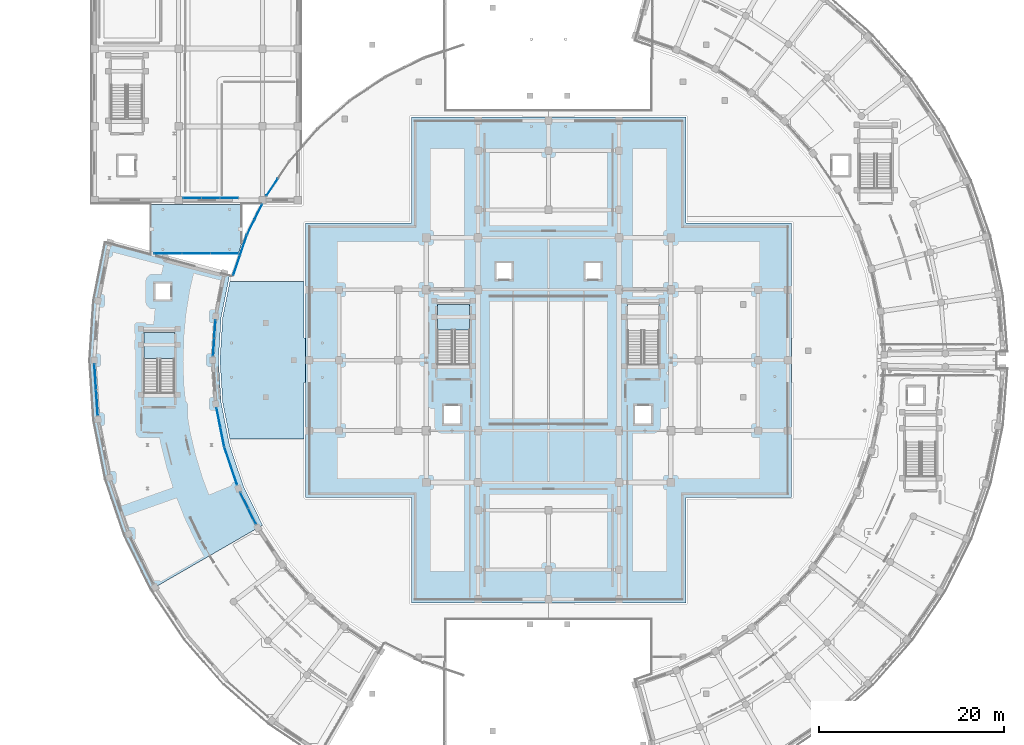
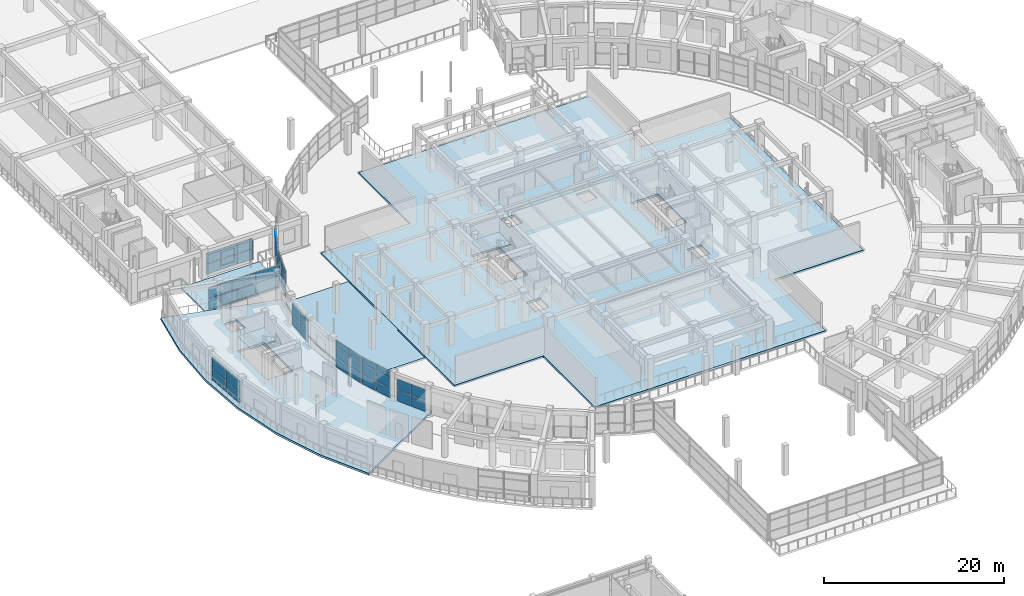
# One storey, part 49 of 87: 50 plates, 6 slabs, 12 elements without a shape of their own.
"""IFC4 building model written with IfcOpenShell, lengths in metres."""

import ifcopenshell
import ifcopenshell.guid

model = None  # the IFC model being written
_history = None  # IfcOwnerHistory: only IFC2X3 demands one
_inside = {}  # id of a spatial element -> (the spatial element, [elements in it])
_under = {}  # id of a project, library or spatial element -> (it, [spatial elements below it])
_declared = {}  # id of a project -> (the project, [libraries it declares])
_typed = {}  # id of a type object -> (the type object, [elements of that type])
_made_of = {}  # id of a material, layer set ... -> (it, [elements and type objects made of it])


def new_model(schema):
    """Start an empty IFC model of exactly this schema.

    Asked for "IFC4X3", IfcOpenShell would pick the latest addendum, in which some entities
    have other attributes; the version numbers below select the first issue.
    IFC2X3 requires an IfcOwnerHistory on every rooted entity: one is made here for all.
    """
    global model, _history
    if schema == "IFC4X3":
        model = ifcopenshell.file(schema_version=(4, 3, 0, 0))
    else:
        model = ifcopenshell.file(schema=schema)
    _inside.clear()
    _under.clear()
    _declared.clear()
    _typed.clear()
    _made_of.clear()
    _history = None
    if model.schema == "IFC2X3":
        org = make("IfcOrganization", Name="unknown")
        user = make(
            "IfcPersonAndOrganization",
            ThePerson=make("IfcPerson", FamilyName="unknown"),
            TheOrganization=org,
        )
        app = make(
            "IfcApplication",
            ApplicationDeveloper=org,
            Version="unknown",
            ApplicationFullName="unknown",
            ApplicationIdentifier="unknown",
        )
        _history = make(
            "IfcOwnerHistory",
            OwningUser=user,
            OwningApplication=app,
            ChangeAction="ADDED",
            CreationDate=0,
        )
    return model


def make(cls, **values):
    """One entity of the class cls with the attributes given. An attribute that is None is left unset."""
    return model.create_entity(
        cls, **{name: value for name, value in values.items() if value is not None}
    )


def rooted(cls, **values):
    """An entity with a GlobalId (a new one), such as an element, a storey or a relation."""
    return make(cls, GlobalId=ifcopenshell.guid.new(), OwnerHistory=_history, **values)


def si_unit(unit_type, name, prefix=None):
    """IfcSIUnit, for example si_unit("LENGTHUNIT", "METRE", prefix="MILLI")."""
    return make("IfcSIUnit", UnitType=unit_type, Prefix=prefix, Name=name)


def assignment(units):
    """IfcUnitAssignment: the units of a project."""
    return None if units is None else make("IfcUnitAssignment", Units=units)


def point(xyz):
    """IfcCartesianPoint."""
    return None if xyz is None else make("IfcCartesianPoint", Coordinates=xyz)


def direction(xyz):
    """IfcDirection."""
    return None if xyz is None else make("IfcDirection", DirectionRatios=xyz)


def frame(location, z_axis=None, x_axis=None):
    """IfcAxis2Placement3D, a coordinate frame: its origin and axes. An axis left out is left unset."""
    return make(
        "IfcAxis2Placement3D",
        Location=point(location),
        Axis=direction(z_axis),
        RefDirection=direction(x_axis),
    )


def frame_2d(location, x_axis=None):
    """IfcAxis2Placement2D, a coordinate frame in the plane: its origin and x axis."""
    return make(
        "IfcAxis2Placement2D", Location=point(location), RefDirection=direction(x_axis)
    )


def origin():
    """The frame at (0, 0, 0) with its axes left unset."""
    return frame((0.0, 0.0, 0.0))


def origin_2d():
    """The frame at (0, 0) in the plane with its x axis left unset."""
    return frame_2d((0.0, 0.0))


def place(relative_to, where):
    """IfcLocalPlacement: puts the frame where relative to a parent placement (None: the world)."""
    return make(
        "IfcLocalPlacement", PlacementRelTo=relative_to, RelativePlacement=where
    )


def context(
    kind, dimensions, precision=None, world=None, true_north=None, identifier=None
):
    """IfcGeometricRepresentationContext, for example the 3D "Model" context."""
    return make(
        "IfcGeometricRepresentationContext",
        ContextIdentifier=identifier,
        ContextType=kind,
        CoordinateSpaceDimension=dimensions,
        Precision=precision,
        WorldCoordinateSystem=world,
        TrueNorth=true_north,
    )


def subcontext(parent, identifier, kind, view, scale=None):
    """IfcGeometricRepresentationSubContext, for example "Body" below "Model"."""
    return make(
        "IfcGeometricRepresentationSubContext",
        ContextIdentifier=identifier,
        ContextType=kind,
        ParentContext=parent,
        TargetScale=scale,
        TargetView=view,
    )


def project(units=None, contexts=None):
    """IfcProject with its units and contexts."""
    return rooted(
        "IfcProject",
        Name="project",
        RepresentationContexts=contexts,
        UnitsInContext=assignment(units),
    )


def spatial(cls, under=None, at=None, **own):
    """A site, building, storey or space (cls), placed at a placement, below another one or the project."""
    s = rooted(cls, ObjectPlacement=at, **own)
    if under is not None:
        _under.setdefault(under.id(), (under, []))[1].append(s)
    return s


def polyline(points):
    """IfcPolyline through the points."""
    return make("IfcPolyline", Points=[point(p) for p in points])


def profile(cls, at=None, kind="AREA", **sizes):
    """A parametric profile (cls). Its sizes go by their IFC names, for example OverallWidth=200.0."""
    return make(cls, ProfileType=kind, Position=at, **sizes)


def rectangle(**sizes):
    """IfcRectangleProfileDef."""
    return profile("IfcRectangleProfileDef", **sizes)


def outline(outer, holes=None, kind="AREA"):
    """IfcArbitraryClosedProfileDef: a profile drawn as a closed curve; with holes, ...WithVoids."""
    if holes is None:
        return make("IfcArbitraryClosedProfileDef", ProfileType=kind, OuterCurve=outer)
    return make(
        "IfcArbitraryProfileDefWithVoids",
        ProfileType=kind,
        OuterCurve=outer,
        InnerCurves=holes,
    )


def extrude(swept, where, along, depth):
    """IfcExtrudedAreaSolid: the profile swept, set in the frame where, extruded along a direction by depth."""
    return make(
        "IfcExtrudedAreaSolid",
        SweptArea=swept,
        Position=where,
        ExtrudedDirection=direction(along),
        Depth=depth,
    )


def shape(context_of_items, identifier, shape_type, items):
    """IfcShapeRepresentation: the items that make up one representation, for example the "Body"."""
    return make(
        "IfcShapeRepresentation",
        ContextOfItems=context_of_items,
        RepresentationIdentifier=identifier,
        RepresentationType=shape_type,
        Items=items,
    )


def material(Name=None, Category=None):
    """IfcMaterial."""
    return make("IfcMaterial", Name=Name, Category=Category)


def layer(
    of_material, thickness, ventilated=None, Name=None, Category=None, Priority=None
):
    """IfcMaterialLayer: one layer of a wall or slab, of a material (None: an air gap)."""
    return make(
        "IfcMaterialLayer",
        Material=of_material,
        LayerThickness=thickness,
        IsVentilated=ventilated,
        Name=Name,
        Category=Category,
        Priority=Priority,
    )


def layer_set(layers, Name=None):
    """IfcMaterialLayerSet."""
    return make("IfcMaterialLayerSet", MaterialLayers=layers, LayerSetName=Name)


def made_of(thing, what):
    """Note that an element or type object is made of a material, layer set ...; save() writes the relation."""
    if what is not None:
        _made_of.setdefault(what.id(), (what, []))[1].append(thing)
    return thing


def type_object(cls, material=None, **own):
    """A type object (cls), such as IfcWallType, which elements share."""
    return made_of(rooted(cls, **own), material)


def element(
    cls,
    number,
    at=None,
    inside=None,
    cuts=None,
    type_object=None,
    material=None,
    context=None,
    identifier="Body",
    shape_type=None,
    held_by="IfcProductDefinitionShape",
    body=None,
    shapes=None,
    **own,
):
    """One element of the class cls, such as IfcWall. Its Tag is "e" and its number.

    at: its placement. inside: the storey or other place that contains it. cuts: it is an
    opening in that element (IfcRelVoidsElement). A single representation is given by context,
    identifier, shape_type and body (its items); several are given by shapes. held_by: the class
    of the entity that holds the representations. save() writes the other relations.
    """
    e = rooted(cls, Tag="e%d" % number, ObjectPlacement=at, **own)
    if body is not None:
        shapes = [shape(context, identifier, shape_type, body)]
    if shapes is not None:
        e.Representation = make(held_by, Representations=shapes)
    if inside is not None:
        _inside.setdefault(inside.id(), (inside, []))[1].append(e)
    if cuts is not None:
        rooted(
            "IfcRelVoidsElement", RelatingBuildingElement=cuts, RelatedOpeningElement=e
        )
    if type_object is not None:
        _typed.setdefault(type_object.id(), (type_object, []))[1].append(e)
    return made_of(e, material)


def aggregate(whole, parts):
    """IfcRelAggregates: a whole, such as a stair, and the parts it consists of."""
    return rooted("IfcRelAggregates", RelatingObject=whole, RelatedObjects=parts)


def save(model, path):
    """Write the relations noted so far, then the file.

    IfcRelAggregates (storeys below a building ...), IfcRelContainedInSpatialStructure (elements
    in a storey), IfcRelDefinesByType, IfcRelAssociatesMaterial and IfcRelDeclares: one each for
    every whole, place, type object, material and project.
    """
    for whole, parts in _under.values():
        aggregate(whole, parts)
    for where, things in _inside.values():
        rooted(
            "IfcRelContainedInSpatialStructure",
            RelatedElements=things,
            RelatingStructure=where,
        )
    for kind, things in _typed.values():
        rooted("IfcRelDefinesByType", RelatedObjects=things, RelatingType=kind)
    for what, things in _made_of.values():
        rooted("IfcRelAssociatesMaterial", RelatedObjects=things, RelatingMaterial=what)
    for by, libraries in _declared.values():
        rooted("IfcRelDeclares", RelatingContext=by, RelatedDefinitions=libraries)
    model.write(path)


model = new_model("IFC4")

# Units and contexts
model_context = context("Model", 3, precision=1e-05, world=origin(), true_north=direction((0.0, 1.0)))
body_context = subcontext(model_context, "Body", "Model", "MODEL_VIEW")
ifc_project = project(units=[si_unit("LENGTHUNIT", "METRE"), si_unit("AREAUNIT", "SQUARE_METRE"), si_unit("VOLUMEUNIT", "CUBIC_METRE"), si_unit("PLANEANGLEUNIT", "RADIAN"), si_unit("MASSUNIT", "GRAM", prefix="KILO")], contexts=[model_context])

# Site, building, storey
site_placement = place(None, origin())
site = spatial("IfcSite", under=ifc_project, at=site_placement, CompositionType="ELEMENT")
building_placement = place(site_placement, origin())
building = spatial("IfcBuilding", under=site, at=building_placement, Name="Saryqyr Civic Hall", CompositionType="ELEMENT")
storey_placement = place(building_placement, frame((0.0, 0.0, 5.10009765625)))
storey = spatial("IfcBuildingStorey", under=building, at=storey_placement, Name="L01", CompositionType="ELEMENT", Elevation=5.10009765625)

# Curtain wall, plates
ifc_material_1 = material(Name="Anodised aluminium and triple low-E glass", Category="aluminium")
curtain_wall_type_1 = type_object("IfcCurtainWallType", Name="ENV-CW-STD-13", PredefinedType="NOTDEFINED", material=ifc_material_1)
curtain_wall_1_placement = place(storey_placement, origin())
curtain_wall_1 = element("IfcCurtainWall", 1, at=curtain_wall_1_placement, inside=storey, type_object=curtain_wall_type_1, Name="Curtain wall V4-CWI-L01-01", PredefinedType="NOTDEFINED")
ifc_material_2 = material(Name="Triple low-E insulated glazing", Category="glass")
ifc_layer_1 = layer(ifc_material_2, 0.053955078125, Name="Triple low-E insulated glazing")
ifc_layer_set_1 = layer_set([ifc_layer_1], Name="Triple low-E insulated glazing")
plate_type = type_object("IfcPlateType", Name="ENV-CW-PNL-38", PredefinedType="CURTAIN_PANEL", material=ifc_layer_set_1)
plate_1_placement = place(storey_placement, frame((21.0185546875, 87.333740234375, 0.059814453125), z_axis=(0.0, 0.0, 1.0), x_axis=(-0.065385760685, -0.997860061481, 0.0)))
plate_1 = element("IfcPlate", 2, at=plate_1_placement, type_object=plate_type, Name="CW-13 panel 1.1", PredefinedType="CURTAIN_PANEL", context=body_context, shape_type="SweptSolid", body=[
    extrude(rectangle(XDim=1.88671875, YDim=0.053955078125, at=origin_2d()), origin(), (0.0, 0.0, 1.0), 1.48193359375),
])
plate_2_placement = place(storey_placement, frame((21.0185546875, 87.333740234375, 1.60205078125), z_axis=(0.0, 0.0, 1.0), x_axis=(-0.065385760685, -0.997860061481, 0.0)))
plate_2 = element("IfcPlate", 3, at=plate_2_placement, type_object=plate_type, Name="CW-13 panel 1.2", PredefinedType="CURTAIN_PANEL", context=body_context, shape_type="SweptSolid", body=[
    extrude(rectangle(XDim=1.88671875, YDim=0.053955078125, at=origin_2d()), origin(), (0.0, 0.0, 1.0), 1.48291015625),
])
plate_3_placement = place(storey_placement, frame((20.89111328125, 85.39111328125, 0.059814453125), z_axis=(0.0, 0.0, 1.0), x_axis=(-0.065385760685, -0.997860061481, 0.0)))
plate_3 = element("IfcPlate", 4, at=plate_3_placement, type_object=plate_type, Name="CW-13 panel 2.1", PredefinedType="CURTAIN_PANEL", context=body_context, shape_type="SweptSolid", body=[
    extrude(rectangle(XDim=1.88671875, YDim=0.053955078125, at=origin_2d()), origin(), (0.0, 0.0, 1.0), 1.48193359375),
])
plate_4_placement = place(storey_placement, frame((20.89111328125, 85.39111328125, 1.60205078125), z_axis=(0.0, 0.0, 1.0), x_axis=(-0.065385760685, -0.997860061481, 0.0)))
plate_4 = element("IfcPlate", 5, at=plate_4_placement, type_object=plate_type, Name="CW-13 panel 2.2", PredefinedType="CURTAIN_PANEL", context=body_context, shape_type="SweptSolid", body=[
    extrude(rectangle(XDim=1.88671875, YDim=0.053955078125, at=origin_2d()), origin(), (0.0, 0.0, 1.0), 1.48291015625),
])
aggregate(curtain_wall_1, [plate_1, plate_2, plate_3, plate_4])

curtain_wall_type_2 = type_object("IfcCurtainWallType", Name="ENV-CW-STD-14", PredefinedType="NOTDEFINED", material=ifc_material_1)
curtain_wall_2_placement = place(storey_placement, origin())
curtain_wall_2 = element("IfcCurtainWall", 6, at=curtain_wall_2_placement, inside=storey, type_object=curtain_wall_type_2, Name="Curtain wall V4-CWO-L01-02", PredefinedType="NOTDEFINED")
plate_5_placement = place(storey_placement, frame((8.300537109375, 79.4130859375, 0.059814453125), z_axis=(0.0, 0.0, 1.0), x_axis=(-0.065389155732, 0.997859839012, 0.0)))
plate_5 = element("IfcPlate", 7, at=plate_5_placement, type_object=plate_type, Name="CW-14 panel 1.1", PredefinedType="CURTAIN_PANEL", context=body_context, shape_type="SweptSolid", body=[
    extrude(rectangle(XDim=2.723876953125, YDim=0.053955078125, at=origin_2d()), origin(), (0.0, 0.0, 1.0), 1.48193359375),
])
plate_6_placement = place(storey_placement, frame((8.300537109375, 79.4130859375, 1.60205078125), z_axis=(0.0, 0.0, 1.0), x_axis=(-0.065389155732, 0.997859839012, 0.0)))
plate_6 = element("IfcPlate", 8, at=plate_6_placement, type_object=plate_type, Name="CW-14 panel 1.2", PredefinedType="CURTAIN_PANEL", context=body_context, shape_type="SweptSolid", body=[
    extrude(rectangle(XDim=2.723876953125, YDim=0.053955078125, at=origin_2d()), origin(), (0.0, 0.0, 1.0), 1.48291015625),
])
plate_7_placement = place(storey_placement, frame((8.11865234375, 82.191162109375, 0.059814453125), z_axis=(0.0, 0.0, 1.0), x_axis=(-0.065389155732, 0.997859839012, 0.0)))
plate_7 = element("IfcPlate", 9, at=plate_7_placement, type_object=plate_type, Name="CW-14 panel 2.1", PredefinedType="CURTAIN_PANEL", context=body_context, shape_type="SweptSolid", body=[
    extrude(rectangle(XDim=2.723876953125, YDim=0.053955078125, at=origin_2d()), origin(), (0.0, 0.0, 1.0), 1.48193359375),
])
plate_8_placement = place(storey_placement, frame((8.11865234375, 82.191162109375, 1.60205078125), z_axis=(0.0, 0.0, 1.0), x_axis=(-0.065389155732, 0.997859839012, 0.0)))
plate_8 = element("IfcPlate", 10, at=plate_8_placement, type_object=plate_type, Name="CW-14 panel 2.2", PredefinedType="CURTAIN_PANEL", context=body_context, shape_type="SweptSolid", body=[
    extrude(rectangle(XDim=2.723876953125, YDim=0.053955078125, at=origin_2d()), origin(), (0.0, 0.0, 1.0), 1.48291015625),
])
aggregate(curtain_wall_2, [plate_5, plate_6, plate_7, plate_8])

curtain_wall_type_3 = type_object("IfcCurtainWallType", Name="ENV-CW-STD-15", PredefinedType="NOTDEFINED", material=ifc_material_1)
curtain_wall_3_placement = place(storey_placement, origin())
curtain_wall_3 = element("IfcCurtainWall", 11, at=curtain_wall_3_placement, inside=storey, type_object=curtain_wall_type_3, Name="Curtain wall V4-CWI-L01-03", PredefinedType="NOTDEFINED")
plate_9_placement = place(storey_placement, frame((21.40185546875, 77.806640625, 0.06005859375), z_axis=(0.0, 0.0, 1.0), x_axis=(0.195087440485, -0.980785853571, 0.0)))
plate_9 = element("IfcPlate", 12, at=plate_9_placement, type_object=plate_type, Name="CW-15 panel 1.1", PredefinedType="CURTAIN_PANEL", context=body_context, shape_type="SweptSolid", body=[
    extrude(rectangle(XDim=2.078857421875, YDim=0.053955078125, at=origin_2d()), origin(), (0.0, 0.0, 1.0), 1.241943359375),
])
plate_10_placement = place(storey_placement, frame((21.40185546875, 77.806640625, 1.362060546875), z_axis=(0.0, 0.0, 1.0), x_axis=(0.195087440485, -0.980785853571, 0.0)))
plate_10 = element("IfcPlate", 13, at=plate_10_placement, type_object=plate_type, Name="CW-15 panel 1.2", PredefinedType="CURTAIN_PANEL", context=body_context, shape_type="SweptSolid", body=[
    extrude(rectangle(XDim=2.078857421875, YDim=0.053955078125, at=origin_2d()), origin(), (0.0, 0.0, 1.0), 1.419921875),
])
plate_11_placement = place(storey_placement, frame((21.40185546875, 77.806640625, 2.841796875), z_axis=(0.0, 0.0, 1.0), x_axis=(0.195087440485, -0.980785853571, 0.0)))
plate_11 = element("IfcPlate", 14, at=plate_11_placement, type_object=plate_type, Name="CW-15 panel 1.3", PredefinedType="CURTAIN_PANEL", context=body_context, shape_type="SweptSolid", body=[
    extrude(rectangle(XDim=2.078857421875, YDim=0.053955078125, at=origin_2d()), origin(), (0.0, 0.0, 1.0), 0.798095703125),
])
plate_12_placement = place(storey_placement, frame((21.819091796875, 75.708984375, 0.06005859375), z_axis=(0.0, 0.0, 1.0), x_axis=(0.195087440485, -0.980785853571, 0.0)))
plate_12 = element("IfcPlate", 15, at=plate_12_placement, type_object=plate_type, Name="CW-15 panel 2.1", PredefinedType="CURTAIN_PANEL", context=body_context, shape_type="SweptSolid", body=[
    extrude(rectangle(XDim=2.078857421875, YDim=0.053955078125, at=origin_2d()), origin(), (0.0, 0.0, 1.0), 1.241943359375),
])
plate_13_placement = place(storey_placement, frame((21.819091796875, 75.708984375, 1.362060546875), z_axis=(0.0, 0.0, 1.0), x_axis=(0.195087440485, -0.980785853571, 0.0)))
plate_13 = element("IfcPlate", 16, at=plate_13_placement, type_object=plate_type, Name="CW-15 panel 2.2", PredefinedType="CURTAIN_PANEL", context=body_context, shape_type="SweptSolid", body=[
    extrude(rectangle(XDim=2.078857421875, YDim=0.053955078125, at=origin_2d()), origin(), (0.0, 0.0, 1.0), 1.419921875),
])
plate_14_placement = place(storey_placement, frame((21.819091796875, 75.708984375, 2.841796875), z_axis=(0.0, 0.0, 1.0), x_axis=(0.195087440485, -0.980785853571, 0.0)))
plate_14 = element("IfcPlate", 17, at=plate_14_placement, type_object=plate_type, Name="CW-15 panel 2.3", PredefinedType="CURTAIN_PANEL", context=body_context, shape_type="SweptSolid", body=[
    extrude(rectangle(XDim=2.078857421875, YDim=0.053955078125, at=origin_2d()), origin(), (0.0, 0.0, 1.0), 0.798095703125),
])
aggregate(curtain_wall_3, [plate_9, plate_10, plate_11, plate_12, plate_13, plate_14])

curtain_wall_4_placement = place(storey_placement, origin())
curtain_wall_4 = element("IfcCurtainWall", 18, at=curtain_wall_4_placement, inside=storey, type_object=curtain_wall_type_3, Name="Curtain wall V4-CWI-L01-04", PredefinedType="NOTDEFINED")
plate_15_placement = place(storey_placement, frame((22.3857421875, 73.593017578125, 0.06005859375), z_axis=(0.0, 0.0, 1.0), x_axis=(0.321441168018, -0.946929551499, 0.0)))
plate_15 = element("IfcPlate", 19, at=plate_15_placement, type_object=plate_type, Name="CW-15 panel 1.1", PredefinedType="CURTAIN_PANEL", context=body_context, shape_type="SweptSolid", body=[
    extrude(rectangle(XDim=2.07177734375, YDim=0.053955078125, at=origin_2d()), origin(), (0.0, 0.0, 1.0), 1.241943359375),
])
plate_16_placement = place(storey_placement, frame((22.3857421875, 73.593017578125, 1.362060546875), z_axis=(0.0, 0.0, 1.0), x_axis=(0.321441168018, -0.946929551499, 0.0)))
plate_16 = element("IfcPlate", 20, at=plate_16_placement, type_object=plate_type, Name="CW-15 panel 1.2", PredefinedType="CURTAIN_PANEL", context=body_context, shape_type="SweptSolid", body=[
    extrude(rectangle(XDim=2.07177734375, YDim=0.053955078125, at=origin_2d()), origin(), (0.0, 0.0, 1.0), 1.419921875),
])
plate_17_placement = place(storey_placement, frame((22.3857421875, 73.593017578125, 2.841796875), z_axis=(0.0, 0.0, 1.0), x_axis=(0.321441168018, -0.946929551499, 0.0)))
plate_17 = element("IfcPlate", 21, at=plate_17_placement, type_object=plate_type, Name="CW-15 panel 1.3", PredefinedType="CURTAIN_PANEL", context=body_context, shape_type="SweptSolid", body=[
    extrude(rectangle(XDim=2.07177734375, YDim=0.053955078125, at=origin_2d()), origin(), (0.0, 0.0, 1.0), 0.798095703125),
])
plate_18_placement = place(storey_placement, frame((23.071044921875, 71.574462890625, 0.06005859375), z_axis=(0.0, 0.0, 1.0), x_axis=(0.321441168018, -0.946929551499, 0.0)))
plate_18 = element("IfcPlate", 22, at=plate_18_placement, type_object=plate_type, Name="CW-15 panel 2.1", PredefinedType="CURTAIN_PANEL", context=body_context, shape_type="SweptSolid", body=[
    extrude(rectangle(XDim=2.07177734375, YDim=0.053955078125, at=origin_2d()), origin(), (0.0, 0.0, 1.0), 1.241943359375),
])
plate_19_placement = place(storey_placement, frame((23.071044921875, 71.574462890625, 1.362060546875), z_axis=(0.0, 0.0, 1.0), x_axis=(0.321441168018, -0.946929551499, 0.0)))
plate_19 = element("IfcPlate", 23, at=plate_19_placement, type_object=plate_type, Name="CW-15 panel 2.2", PredefinedType="CURTAIN_PANEL", context=body_context, shape_type="SweptSolid", body=[
    extrude(rectangle(XDim=2.07177734375, YDim=0.053955078125, at=origin_2d()), origin(), (0.0, 0.0, 1.0), 1.419921875),
])
plate_20_placement = place(storey_placement, frame((23.071044921875, 71.574462890625, 2.841796875), z_axis=(0.0, 0.0, 1.0), x_axis=(0.321441168018, -0.946929551499, 0.0)))
plate_20 = element("IfcPlate", 24, at=plate_20_placement, type_object=plate_type, Name="CW-15 panel 2.3", PredefinedType="CURTAIN_PANEL", context=body_context, shape_type="SweptSolid", body=[
    extrude(rectangle(XDim=2.07177734375, YDim=0.053955078125, at=origin_2d()), origin(), (0.0, 0.0, 1.0), 0.798095703125),
])
aggregate(curtain_wall_4, [plate_15, plate_16, plate_17, plate_18, plate_19, plate_20])

curtain_wall_type_4 = type_object("IfcCurtainWallType", Name="ENV-CW-STD-17", PredefinedType="NOTDEFINED", material=ifc_material_1)
curtain_wall_5_placement = place(storey_placement, origin())
curtain_wall_5 = element("IfcCurtainWall", 25, at=curtain_wall_5_placement, inside=storey, type_object=curtain_wall_type_4, Name="Curtain wall V4-CWI-L01-05", PredefinedType="NOTDEFINED")
plate_21_placement = place(storey_placement, frame((24.181884765625, 68.876708984375, 0.059814453125), z_axis=(0.0, 0.0, 1.0), x_axis=(0.442291628967, -0.896871292297, 0.0)))
plate_21 = element("IfcPlate", 26, at=plate_21_placement, type_object=plate_type, Name="CW-17 panel 1.1", PredefinedType="CURTAIN_PANEL", context=body_context, shape_type="SweptSolid", body=[
    extrude(rectangle(XDim=1.8427734375, YDim=0.053955078125, at=origin_2d()), origin(), (0.0, 0.0, 1.0), 1.48193359375),
])
plate_22_placement = place(storey_placement, frame((24.181884765625, 68.876708984375, 1.60205078125), z_axis=(0.0, 0.0, 1.0), x_axis=(0.442291628967, -0.896871292297, 0.0)))
plate_22 = element("IfcPlate", 27, at=plate_22_placement, type_object=plate_type, Name="CW-17 panel 1.2", PredefinedType="CURTAIN_PANEL", context=body_context, shape_type="SweptSolid", body=[
    extrude(rectangle(XDim=1.8427734375, YDim=0.053955078125, at=origin_2d()), origin(), (0.0, 0.0, 1.0), 1.48291015625),
])
plate_23_placement = place(storey_placement, frame((25.0234375, 67.170166015625, 0.059814453125), z_axis=(0.0, 0.0, 1.0), x_axis=(0.442291628967, -0.896871292297, 0.0)))
plate_23 = element("IfcPlate", 28, at=plate_23_placement, type_object=plate_type, Name="CW-17 panel 2.1", PredefinedType="CURTAIN_PANEL", context=body_context, shape_type="SweptSolid", body=[
    extrude(rectangle(XDim=1.8427734375, YDim=0.053955078125, at=origin_2d()), origin(), (0.0, 0.0, 1.0), 1.48193359375),
])
plate_24_placement = place(storey_placement, frame((25.0234375, 67.170166015625, 1.60205078125), z_axis=(0.0, 0.0, 1.0), x_axis=(0.442291628967, -0.896871292297, 0.0)))
plate_24 = element("IfcPlate", 29, at=plate_24_placement, type_object=plate_type, Name="CW-17 panel 2.2", PredefinedType="CURTAIN_PANEL", context=body_context, shape_type="SweptSolid", body=[
    extrude(rectangle(XDim=1.8427734375, YDim=0.053955078125, at=origin_2d()), origin(), (0.0, 0.0, 1.0), 1.48291015625),
])
aggregate(curtain_wall_5, [plate_21, plate_22, plate_23, plate_24])

curtain_wall_type_5 = type_object("IfcCurtainWallType", Name="ENV-CW-STD-76", PredefinedType="NOTDEFINED", material=ifc_material_1)
curtain_wall_6_placement = place(storey_placement, origin())
curtain_wall_6 = element("IfcCurtainWall", 30, at=curtain_wall_6_placement, inside=storey, type_object=curtain_wall_type_5, Name="Curtain wall V2-PERIM-CW-L01-19", PredefinedType="NOTDEFINED")
plate_25_placement = place(storey_placement, frame((27.18701171875, 102.64013671875, 0.059814453125), z_axis=(0.0, 0.0, 1.0), x_axis=(0.55555938193, 0.831476862666, 0.0)))
plate_25 = element("IfcPlate", 31, at=plate_25_placement, type_object=plate_type, Name="CW-76 panel 1.1", PredefinedType="CURTAIN_PANEL", context=body_context, shape_type="SweptSolid", body=[
    extrude(rectangle(XDim=2.165283203125, YDim=0.053955078125, at=origin_2d()), origin(), (0.0, 0.0, 1.0), 1.48193359375),
])
plate_26_placement = place(storey_placement, frame((27.18701171875, 102.64013671875, 1.60205078125), z_axis=(0.0, 0.0, 1.0), x_axis=(0.55555938193, 0.831476862666, 0.0)))
plate_26 = element("IfcPlate", 32, at=plate_26_placement, type_object=plate_type, Name="CW-76 panel 1.2", PredefinedType="CURTAIN_PANEL", context=body_context, shape_type="SweptSolid", body=[
    extrude(rectangle(XDim=2.165283203125, YDim=0.053955078125, at=origin_2d()), origin(), (0.0, 0.0, 1.0), 1.48291015625),
])
aggregate(curtain_wall_6, [plate_25, plate_26])

curtain_wall_type_6 = type_object("IfcCurtainWallType", Name="ENV-CW-STD-45", PredefinedType="NOTDEFINED", material=ifc_material_1)
curtain_wall_7_placement = place(storey_placement, origin())
curtain_wall_7 = element("IfcCurtainWall", 33, at=curtain_wall_7_placement, inside=storey, type_object=curtain_wall_type_6, Name="Curtain wall V2-PERIM-CW-L01-20", PredefinedType="NOTDEFINED")
plate_27_placement = place(storey_placement, frame((24.87841796875, 98.324462890625, 0.06005859375), z_axis=(0.0, 0.0, 1.0), x_axis=(0.442286255428, 0.896873942235, 0.0)))
plate_27 = element("IfcPlate", 34, at=plate_27_placement, type_object=plate_type, Name="CW-45 panel 1.1", PredefinedType="CURTAIN_PANEL", context=body_context, shape_type="SweptSolid", body=[
    extrude(rectangle(XDim=1.767578125, YDim=0.053955078125, at=origin_2d()), origin(), (0.0, 0.0, 1.0), 1.241943359375),
])
plate_28_placement = place(storey_placement, frame((24.87841796875, 98.324462890625, 1.362060546875), z_axis=(0.0, 0.0, 1.0), x_axis=(0.442286255428, 0.896873942235, 0.0)))
plate_28 = element("IfcPlate", 35, at=plate_28_placement, type_object=plate_type, Name="CW-45 panel 1.2", PredefinedType="CURTAIN_PANEL", context=body_context, shape_type="SweptSolid", body=[
    extrude(rectangle(XDim=1.767578125, YDim=0.053955078125, at=origin_2d()), origin(), (0.0, 0.0, 1.0), 1.419921875),
])
plate_29_placement = place(storey_placement, frame((24.87841796875, 98.324462890625, 2.841796875), z_axis=(0.0, 0.0, 1.0), x_axis=(0.442286255428, 0.896873942235, 0.0)))
plate_29 = element("IfcPlate", 36, at=plate_29_placement, type_object=plate_type, Name="CW-45 panel 1.3", PredefinedType="CURTAIN_PANEL", context=body_context, shape_type="SweptSolid", body=[
    extrude(rectangle(XDim=1.767578125, YDim=0.053955078125, at=origin_2d()), origin(), (0.0, 0.0, 1.0), 0.798095703125),
])
plate_30_placement = place(storey_placement, frame((25.686767578125, 99.963623046875, 0.06005859375), z_axis=(0.0, 0.0, 1.0), x_axis=(0.442286255428, 0.896873942235, 0.0)))
plate_30 = element("IfcPlate", 37, at=plate_30_placement, type_object=plate_type, Name="CW-45 panel 2.1", PredefinedType="CURTAIN_PANEL", context=body_context, shape_type="SweptSolid", body=[
    extrude(rectangle(XDim=1.767578125, YDim=0.053955078125, at=origin_2d()), origin(), (0.0, 0.0, 1.0), 1.241943359375),
])
plate_31_placement = place(storey_placement, frame((25.686767578125, 99.963623046875, 1.362060546875), z_axis=(0.0, 0.0, 1.0), x_axis=(0.442286255428, 0.896873942235, 0.0)))
plate_31 = element("IfcPlate", 38, at=plate_31_placement, type_object=plate_type, Name="CW-45 panel 2.2", PredefinedType="CURTAIN_PANEL", context=body_context, shape_type="SweptSolid", body=[
    extrude(rectangle(XDim=1.767578125, YDim=0.053955078125, at=origin_2d()), origin(), (0.0, 0.0, 1.0), 1.419921875),
])
plate_32_placement = place(storey_placement, frame((25.686767578125, 99.963623046875, 2.841796875), z_axis=(0.0, 0.0, 1.0), x_axis=(0.442286255428, 0.896873942235, 0.0)))
plate_32 = element("IfcPlate", 39, at=plate_32_placement, type_object=plate_type, Name="CW-45 panel 2.3", PredefinedType="CURTAIN_PANEL", context=body_context, shape_type="SweptSolid", body=[
    extrude(rectangle(XDim=1.767578125, YDim=0.053955078125, at=origin_2d()), origin(), (0.0, 0.0, 1.0), 0.798095703125),
])
aggregate(curtain_wall_7, [plate_27, plate_28, plate_29, plate_30, plate_31, plate_32])

curtain_wall_type_7 = type_object("IfcCurtainWallType", Name="ENV-CW-STD-74", PredefinedType="NOTDEFINED", material=ifc_material_1)
curtain_wall_8_placement = place(storey_placement, origin())
curtain_wall_8 = element("IfcCurtainWall", 40, at=curtain_wall_8_placement, inside=storey, type_object=curtain_wall_type_7, Name="Curtain wall V2-PERIM-CW-L01-21", PredefinedType="NOTDEFINED")
plate_33_placement = place(storey_placement, frame((23.355224609375, 94.220458984375, 0.06005859375), z_axis=(0.0, 0.0, 1.0), x_axis=(0.321445459178, 0.946928094828, 0.0)))
plate_33 = element("IfcPlate", 41, at=plate_33_placement, type_object=plate_type, Name="CW-74 panel 1.1", PredefinedType="CURTAIN_PANEL", context=body_context, shape_type="SweptSolid", body=[
    extrude(rectangle(XDim=2.213623046875, YDim=0.053955078125, at=origin_2d()), origin(), (0.0, 0.0, 1.0), 1.241943359375),
])
plate_34_placement = place(storey_placement, frame((23.355224609375, 94.220458984375, 1.362060546875), z_axis=(0.0, 0.0, 1.0), x_axis=(0.321445459178, 0.946928094828, 0.0)))
plate_34 = element("IfcPlate", 42, at=plate_34_placement, type_object=plate_type, Name="CW-74 panel 1.2", PredefinedType="CURTAIN_PANEL", context=body_context, shape_type="SweptSolid", body=[
    extrude(rectangle(XDim=2.213623046875, YDim=0.053955078125, at=origin_2d()), origin(), (0.0, 0.0, 1.0), 1.419921875),
])
plate_35_placement = place(storey_placement, frame((23.355224609375, 94.220458984375, 2.841796875), z_axis=(0.0, 0.0, 1.0), x_axis=(0.321445459178, 0.946928094828, 0.0)))
plate_35 = element("IfcPlate", 43, at=plate_35_placement, type_object=plate_type, Name="CW-74 panel 1.3", PredefinedType="CURTAIN_PANEL", context=body_context, shape_type="SweptSolid", body=[
    extrude(rectangle(XDim=2.213623046875, YDim=0.053955078125, at=origin_2d()), origin(), (0.0, 0.0, 1.0), 0.798095703125),
])
plate_36_placement = place(storey_placement, frame((24.0859375, 96.373291015625, 0.06005859375), z_axis=(0.0, 0.0, 1.0), x_axis=(0.321445459178, 0.946928094828, 0.0)))
plate_36 = element("IfcPlate", 44, at=plate_36_placement, type_object=plate_type, Name="CW-74 panel 2.1", PredefinedType="CURTAIN_PANEL", context=body_context, shape_type="SweptSolid", body=[
    extrude(rectangle(XDim=2.213623046875, YDim=0.053955078125, at=origin_2d()), origin(), (0.0, 0.0, 1.0), 1.241943359375),
])
plate_37_placement = place(storey_placement, frame((24.0859375, 96.373291015625, 1.362060546875), z_axis=(0.0, 0.0, 1.0), x_axis=(0.321445459178, 0.946928094828, 0.0)))
plate_37 = element("IfcPlate", 45, at=plate_37_placement, type_object=plate_type, Name="CW-74 panel 2.2", PredefinedType="CURTAIN_PANEL", context=body_context, shape_type="SweptSolid", body=[
    extrude(rectangle(XDim=2.213623046875, YDim=0.053955078125, at=origin_2d()), origin(), (0.0, 0.0, 1.0), 1.419921875),
])
plate_38_placement = place(storey_placement, frame((24.0859375, 96.373291015625, 2.841796875), z_axis=(0.0, 0.0, 1.0), x_axis=(0.321445459178, 0.946928094828, 0.0)))
plate_38 = element("IfcPlate", 46, at=plate_38_placement, type_object=plate_type, Name="CW-74 panel 2.3", PredefinedType="CURTAIN_PANEL", context=body_context, shape_type="SweptSolid", body=[
    extrude(rectangle(XDim=2.213623046875, YDim=0.053955078125, at=origin_2d()), origin(), (0.0, 0.0, 1.0), 0.798095703125),
])
aggregate(curtain_wall_8, [plate_33, plate_34, plate_35, plate_36, plate_37, plate_38])

curtain_wall_type_8 = type_object("IfcCurtainWallType", Name="ENV-CW-STD-84", PredefinedType="NOTDEFINED", material=ifc_material_1)
curtain_wall_9_placement = place(storey_placement, origin())
curtain_wall_9 = element("IfcCurtainWall", 47, at=curtain_wall_9_placement, inside=storey, type_object=curtain_wall_type_8, Name="Curtain wall BR-NW-CW1-L01", PredefinedType="NOTDEFINED")
plate_39_placement = place(storey_placement, frame((22.0517578125, 95.52001953125, 0.06005859375), z_axis=(0.0, 0.0, 1.0), x_axis=(-1.0, 0.0, 0.0)))
plate_39 = element("IfcPlate", 48, at=plate_39_placement, type_object=plate_type, Name="CW-84 panel 1.1", PredefinedType="CURTAIN_PANEL", context=body_context, shape_type="SweptSolid", body=[
    extrude(rectangle(XDim=2.9765625, YDim=0.053955078125, at=origin_2d()), origin(), (0.0, 0.0, 1.0), 1.407958984375),
])
plate_40_placement = place(storey_placement, frame((22.0517578125, 95.52001953125, 1.52783203125), z_axis=(0.0, 0.0, 1.0), x_axis=(-1.0, 0.0, 0.0)))
plate_40 = element("IfcPlate", 49, at=plate_40_placement, type_object=plate_type, Name="CW-84 panel 1.2", PredefinedType="CURTAIN_PANEL", context=body_context, shape_type="SweptSolid", body=[
    extrude(rectangle(XDim=2.9765625, YDim=0.053955078125, at=origin_2d()), origin(), (0.0, 0.0, 1.0), 1.406982421875),
])
plate_41_placement = place(storey_placement, frame((19.0, 95.52001953125, 0.06005859375), z_axis=(0.0, 0.0, 1.0), x_axis=(-1.0, 0.0, 0.0)))
plate_41 = element("IfcPlate", 50, at=plate_41_placement, type_object=plate_type, Name="CW-84 panel 2.1", PredefinedType="CURTAIN_PANEL", context=body_context, shape_type="SweptSolid", body=[
    extrude(rectangle(XDim=3.006591796875, YDim=0.053955078125, at=origin_2d()), origin(), (0.0, 0.0, 1.0), 1.407958984375),
])
plate_42_placement = place(storey_placement, frame((19.0, 95.52001953125, 1.52783203125), z_axis=(0.0, 0.0, 1.0), x_axis=(-1.0, 0.0, 0.0)))
plate_42 = element("IfcPlate", 51, at=plate_42_placement, type_object=plate_type, Name="CW-84 panel 2.2", PredefinedType="CURTAIN_PANEL", context=body_context, shape_type="SweptSolid", body=[
    extrude(rectangle(XDim=3.006591796875, YDim=0.053955078125, at=origin_2d()), origin(), (0.0, 0.0, 1.0), 1.406982421875),
])
plate_43_placement = place(storey_placement, frame((15.9482421875, 95.52001953125, 0.06005859375), z_axis=(0.0, 0.0, 1.0), x_axis=(-1.0, 0.0, 0.0)))
plate_43 = element("IfcPlate", 52, at=plate_43_placement, type_object=plate_type, Name="CW-84 panel 3.1", PredefinedType="CURTAIN_PANEL", context=body_context, shape_type="SweptSolid", body=[
    extrude(rectangle(XDim=2.9765625, YDim=0.053955078125, at=origin_2d()), origin(), (0.0, 0.0, 1.0), 1.407958984375),
])
plate_44_placement = place(storey_placement, frame((15.9482421875, 95.52001953125, 1.52783203125), z_axis=(0.0, 0.0, 1.0), x_axis=(-1.0, 0.0, 0.0)))
plate_44 = element("IfcPlate", 53, at=plate_44_placement, type_object=plate_type, Name="CW-84 panel 3.2", PredefinedType="CURTAIN_PANEL", context=body_context, shape_type="SweptSolid", body=[
    extrude(rectangle(XDim=2.9765625, YDim=0.053955078125, at=origin_2d()), origin(), (0.0, 0.0, 1.0), 1.406982421875),
])
aggregate(curtain_wall_9, [plate_39, plate_40, plate_41, plate_42, plate_43, plate_44])

curtain_wall_type_9 = type_object("IfcCurtainWallType", Name="ENV-CW-STD-85", PredefinedType="NOTDEFINED", material=ifc_material_1)
curtain_wall_10_placement = place(storey_placement, origin())
curtain_wall_10 = element("IfcCurtainWall", 54, at=curtain_wall_10_placement, inside=storey, type_object=curtain_wall_type_9, Name="Curtain wall BR-NW-CW2-L01", PredefinedType="NOTDEFINED")
plate_45_placement = place(storey_placement, frame((18.56494140625, 101.47998046875, 0.06005859375), z_axis=(0.0, 0.0, 1.0), x_axis=(1.0, 0.0, 0.0)))
plate_45 = element("IfcPlate", 55, at=plate_45_placement, type_object=plate_type, Name="CW-85 panel 1.1", PredefinedType="CURTAIN_PANEL", context=body_context, shape_type="SweptSolid", body=[
    extrude(rectangle(XDim=1.929931640625, YDim=0.053955078125, at=origin_2d()), origin(), (0.0, 0.0, 1.0), 1.407958984375),
])
plate_46_placement = place(storey_placement, frame((18.56494140625, 101.47998046875, 1.52783203125), z_axis=(0.0, 0.0, 1.0), x_axis=(1.0, 0.0, 0.0)))
plate_46 = element("IfcPlate", 56, at=plate_46_placement, type_object=plate_type, Name="CW-85 panel 1.2", PredefinedType="CURTAIN_PANEL", context=body_context, shape_type="SweptSolid", body=[
    extrude(rectangle(XDim=1.929931640625, YDim=0.053955078125, at=origin_2d()), origin(), (0.0, 0.0, 1.0), 1.406982421875),
])
plate_47_placement = place(storey_placement, frame((20.570068359375, 101.47998046875, 0.06005859375), z_axis=(0.0, 0.0, 1.0), x_axis=(1.0, 0.0, 0.0)))
plate_47 = element("IfcPlate", 57, at=plate_47_placement, type_object=plate_type, Name="CW-85 panel 2.1", PredefinedType="CURTAIN_PANEL", context=body_context, shape_type="SweptSolid", body=[
    extrude(rectangle(XDim=1.9599609375, YDim=0.053955078125, at=origin_2d()), origin(), (0.0, 0.0, 1.0), 1.407958984375),
])
plate_48_placement = place(storey_placement, frame((20.570068359375, 101.47998046875, 1.52783203125), z_axis=(0.0, 0.0, 1.0), x_axis=(1.0, 0.0, 0.0)))
plate_48 = element("IfcPlate", 58, at=plate_48_placement, type_object=plate_type, Name="CW-85 panel 2.2", PredefinedType="CURTAIN_PANEL", context=body_context, shape_type="SweptSolid", body=[
    extrude(rectangle(XDim=1.9599609375, YDim=0.053955078125, at=origin_2d()), origin(), (0.0, 0.0, 1.0), 1.406982421875),
])
plate_49_placement = place(storey_placement, frame((22.574951171875, 101.47998046875, 0.06005859375), z_axis=(0.0, 0.0, 1.0), x_axis=(1.0, 0.0, 0.0)))
plate_49 = element("IfcPlate", 59, at=plate_49_placement, type_object=plate_type, Name="CW-85 panel 3.1", PredefinedType="CURTAIN_PANEL", context=body_context, shape_type="SweptSolid", body=[
    extrude(rectangle(XDim=1.929931640625, YDim=0.053955078125, at=origin_2d()), origin(), (0.0, 0.0, 1.0), 1.407958984375),
])
plate_50_placement = place(storey_placement, frame((22.574951171875, 101.47998046875, 1.52783203125), z_axis=(0.0, 0.0, 1.0), x_axis=(1.0, 0.0, 0.0)))
plate_50 = element("IfcPlate", 60, at=plate_50_placement, type_object=plate_type, Name="CW-85 panel 3.2", PredefinedType="CURTAIN_PANEL", context=body_context, shape_type="SweptSolid", body=[
    extrude(rectangle(XDim=1.929931640625, YDim=0.053955078125, at=origin_2d()), origin(), (0.0, 0.0, 1.0), 1.406982421875),
])
aggregate(curtain_wall_10, [plate_45, plate_46, plate_47, plate_48, plate_49, plate_50])

# Slabs
ifc_material_3 = material(Name="Concrete C35/45", Category="concrete")
ifc_layer_2 = layer(ifc_material_3, 0.22998046875, Name="Concrete C35/45")
ifc_layer_set_2 = layer_set([ifc_layer_2], Name="Concrete C35/45")
slab_type_1 = type_object("IfcSlabType", Name="STR-SLB-FLR-230", PredefinedType="FLOOR", material=ifc_layer_set_2)
slab_1_placement = place(storey_placement, frame((0.0, 0.0, -0.22998046875)))
element("IfcSlab", 61, at=slab_1_placement, inside=storey, type_object=slab_type_1, Name="Slab SLB-BR-NW-L01", PredefinedType="FLOOR", context=body_context, shape_type="SweptSolid", body=[
    extrude(outline(polyline([(24.0, 96.802978515625), (23.523681640625, 95.39990234375), (14.45458984375, 95.39990234375), (14.0, 95.521728515625), (14.0, 100.800048828125), (24.0, 100.800048828125), (24.0, 96.802978515625)])), origin(), (0.0, 0.0, 1.0), 0.22998046875),
])
ifc_layer_3 = layer(ifc_material_3, 0.280029296875, Name="Concrete C35/45")
ifc_layer_set_3 = layer_set([ifc_layer_3], Name="Concrete C35/45")
slab_type_2 = type_object("IfcSlabType", Name="STR-SLB-FLR-280", PredefinedType="FLOOR", material=ifc_layer_set_3)
slab_2_placement = place(storey_placement, frame((0.0, 0.0, -0.280029296875)))
element("IfcSlab", 62, at=slab_2_placement, inside=storey, type_object=slab_type_2, Name="Slab SLB-V1-L01", PredefinedType="FLOOR", context=body_context, shape_type="SweptSolid", body=[
    extrude(outline(polyline([(42.199951171875, 69.199951171875), (30.800048828125, 69.199951171875), (30.800048828125, 98.800048828125), (42.199951171875, 98.800048828125), (42.199951171875, 110.199951171875), (71.800048828125, 110.199951171875), (71.800048828125, 98.800048828125), (83.199951171875, 98.800048828125), (83.199951171875, 69.199951171875), (71.800048828125, 69.199951171875), (71.800048828125, 57.800048828125), (42.199951171875, 57.800048828125), (42.199951171875, 69.199951171875)]), holes=[polyline([(47.5, 77.10009765625), (47.5, 79.10009765625), (45.699951171875, 79.10009765625), (45.699951171875, 77.10009765625), (47.5, 77.10009765625)]), polyline([(48.5, 90.0), (45.0, 90.0), (45.0, 83.64990234375), (48.5, 83.64990234375), (48.5, 90.0)]), polyline([(53.050048828125, 92.699951171875), (53.050048828125, 94.5), (51.35009765625, 94.5), (51.35009765625, 92.699951171875), (53.050048828125, 92.699951171875)]), polyline([(68.10009765625, 77.10009765625), (68.10009765625, 79.10009765625), (66.300048828125, 79.10009765625), (66.300048828125, 77.10009765625), (68.10009765625, 77.10009765625)]), polyline([(68.89990234375, 90.0), (65.5, 90.0), (65.5, 83.60009765625), (68.89990234375, 83.60009765625), (68.89990234375, 90.0)]), polyline([(62.64990234375, 92.699951171875), (62.64990234375, 94.5), (60.949951171875, 94.5), (60.949951171875, 92.699951171875), (62.64990234375, 92.699951171875)])]), origin(), (0.0, 0.0, 1.0), 0.280029296875),
])
slab_3_placement = place(storey_placement, frame((0.0, 0.0, -0.280029296875)))
element("IfcSlab", 63, at=slab_3_placement, inside=storey, type_object=slab_type_2, Name="Slab SLB-V4A-L01", PredefinedType="FLOOR", context=body_context, shape_type="SweptSolid", body=[
    extrude(outline(polyline([(21.70458984375, 88.646728515625), (21.39990234375, 84.0), (21.70458984375, 79.353271484375), (22.613037109375, 74.785888671875), (24.10986328125, 70.37646484375), (26.16943359375, 66.199951171875), (14.045166015625, 59.199951171875), (11.175537109375, 65.018798828125), (9.090087890625, 71.16259765625), (7.82421875, 77.52587890625), (7.39990234375, 84.0), (7.82421875, 90.47412109375), (9.090087890625, 96.83740234375), (22.613037109375, 93.214111328125), (21.70458984375, 88.646728515625)]), holes=[polyline([(16.64990234375, 87.0), (13.35009765625, 87.0), (13.35009765625, 80.550048828125), (16.64990234375, 80.550048828125), (16.64990234375, 87.0)]), polyline([(16.25, 90.5), (16.25, 92.300048828125), (14.550048828125, 92.300048828125), (14.550048828125, 90.5), (16.25, 90.5)])]), origin(), (0.0, 0.0, 1.0), 0.280029296875),
])
slab_4_placement = place(storey_placement, frame((0.0, 0.0, -0.280029296875)))
element("IfcSlab", 64, at=slab_4_placement, inside=storey, type_object=slab_type_2, Name="Slab SLB-V2W-L01", PredefinedType="FLOOR", context=body_context, shape_type="SweptSolid", body=[
    extrude(outline(polyline([(21.560302734375, 84.0), (21.863525390625, 88.625732421875), (22.634033203125, 92.5), (30.639892578125, 92.5), (30.639892578125, 86.39990234375), (30.800048828125, 86.39990234375), (30.800048828125, 81.60009765625), (30.639892578125, 81.60009765625), (30.639892578125, 75.5), (22.634033203125, 75.5), (21.863525390625, 79.374267578125), (21.560302734375, 84.0)])), origin(), (0.0, 0.0, 1.0), 0.280029296875),
])

# Stair, slab
stair_type_1 = type_object("IfcStairType", Name="INT-STR-ST-1", PredefinedType="HALF_TURN_STAIR", material=ifc_material_3)
stair_1_placement = place(storey_placement, origin())
stair_1 = element("IfcStair", 65, at=stair_1_placement, inside=storey, type_object=stair_type_1, Name="L01 Protected Exit Stair ST-1", PredefinedType="HALF_TURN_STAIR")
ifc_layer_4 = layer(ifc_material_3, 0.199951171875, Name="Concrete C35/45")
ifc_layer_set_4 = layer_set([ifc_layer_4], Name="Concrete C35/45")
slab_type_3 = type_object("IfcSlabType", Name="STR-SLB-LND-200", PredefinedType="LANDING", material=ifc_layer_set_4)
slab_5_placement = place(storey_placement, frame((0.0, 0.0, 1.824951171875)))
slab_5 = element("IfcSlab", 66, at=slab_5_placement, type_object=slab_type_3, Name="ST-1 landing 1", PredefinedType="LANDING", context=body_context, shape_type="SweptSolid", body=[
    extrude(outline(polyline([(48.5, 87.25), (48.5, 90.0), (45.0, 90.0), (45.0, 87.25), (48.5, 87.25)])), origin(), (0.0, 0.0, 1.0), 0.199951171875),
])
aggregate(stair_1, [slab_5])

stair_type_2 = type_object("IfcStairType", Name="INT-STR-ST-4", PredefinedType="HALF_TURN_STAIR", material=ifc_material_3)
stair_2_placement = place(storey_placement, origin())
stair_2 = element("IfcStair", 67, at=stair_2_placement, inside=storey, type_object=stair_type_2, Name="L01 Protected Exit Stair ST-4", PredefinedType="HALF_TURN_STAIR")
slab_6_placement = place(storey_placement, frame((0.0, 0.0, 1.824951171875)))
slab_6 = element("IfcSlab", 68, at=slab_6_placement, type_object=slab_type_3, Name="ST-4 landing 1", PredefinedType="LANDING", context=body_context, shape_type="SweptSolid", body=[
    extrude(outline(polyline([(16.64990234375, 84.14990234375), (16.64990234375, 87.0), (13.35009765625, 87.0), (13.35009765625, 84.14990234375), (16.64990234375, 84.14990234375)])), origin(), (0.0, 0.0, 1.0), 0.199951171875),
])
aggregate(stair_2, [slab_6])

save(model, "model.ifc")
